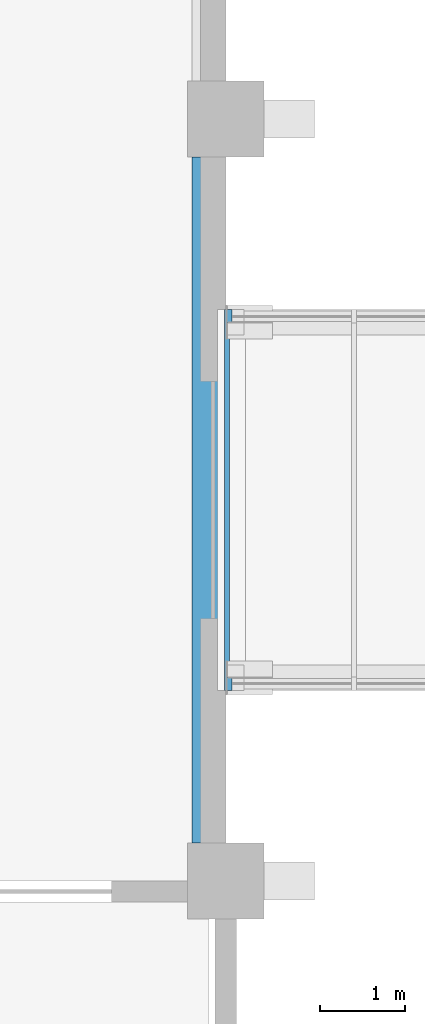
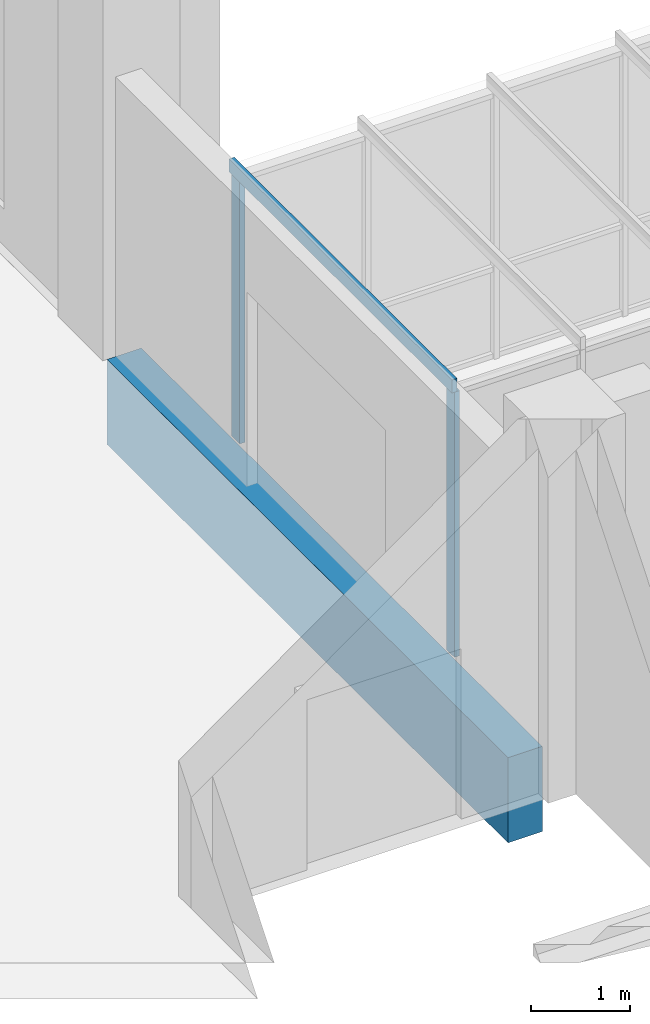
# One storey, part 5 of 88: 3 members, 1 beam, 3 elements without a shape of their own.
"""IFC4 building model written with IfcOpenShell, lengths in metres."""

from ifc_helpers import new_model, si_unit, direction, frame, origin, origin_2d, place, context, subcontext, project, spatial, rectangle, extrude, material, layer, layer_set, material_profile, profile_set, type_object, element, aggregate, save


model = new_model("IFC4")

# Units and contexts
model_context = context("Model", 3, precision=1e-05, world=origin(), true_north=direction((0.0, 1.0)))
body_context = subcontext(model_context, "Body", "Model", "MODEL_VIEW")
ifc_project = project(units=[si_unit("LENGTHUNIT", "METRE"), si_unit("AREAUNIT", "SQUARE_METRE"), si_unit("VOLUMEUNIT", "CUBIC_METRE"), si_unit("PLANEANGLEUNIT", "RADIAN"), si_unit("MASSUNIT", "GRAM", prefix="KILO")], contexts=[model_context])

# Site, building, storey
site_placement = place(None, origin())
site = spatial("IfcSite", under=ifc_project, at=site_placement, CompositionType="ELEMENT")
building_placement = place(site_placement, origin())
building = spatial("IfcBuilding", under=site, at=building_placement, Name="Guidao Yard Department Store", CompositionType="ELEMENT")
storey_placement = place(building_placement, frame((0.0, 0.0, 6.0)))
storey = spatial("IfcBuildingStorey", under=building, at=storey_placement, Name="L01", CompositionType="ELEMENT", Elevation=6.0)

# Beam
ifc_material_1 = material(Name="Concrete C40", Category="concrete")
ifc_material_profile_1 = material_profile(ifc_material_1, rectangle(XDim=0.39990234375, YDim=1.050048828125, at=origin_2d()), Name="Bridge landing beam 400 x 1050 C40")
ifc_profile_set_1 = profile_set([ifc_material_profile_1], Name="Concrete C40")
beam_type = type_object("IfcBeamType", Name="Bridge landing beam 400 x 1050 C40", PredefinedType="BEAM", material=ifc_profile_set_1)
beam_placement = place(storey_placement, frame((62.800048828125, 54.449951171875, -0.52490234375), z_axis=(0.0, 1.0, 0.0), x_axis=(-1.0, 0.0, 0.0)))
element("IfcBeam", 1, at=beam_placement, inside=storey, type_object=beam_type, Name="Beam LB01", PredefinedType="BEAM", context=body_context, shape_type="SweptSolid", body=[
    extrude(rectangle(XDim=0.39990234375, YDim=1.050048828125, at=origin_2d()), origin(), (0.0, 0.0, 1.0), 8.10009765625),
])

# Curtain wall, member
ifc_material_2 = material(Name="Aluminium and glass", Category="aluminium")
ifc_layer = layer(ifc_material_2, 0.159912109375)
ifc_layer_set = layer_set([ifc_layer], Name="Bridge glazing CW5 1500 module")
curtain_wall_type = type_object("IfcCurtainWallType", Name="Bridge glazing CW5 1500 module", PredefinedType="NOTDEFINED", material=ifc_layer_set)
curtain_wall_1_placement = place(storey_placement, origin())
curtain_wall_1 = element("IfcCurtainWall", 2, at=curtain_wall_1_placement, inside=storey, type_object=curtain_wall_type, Name="Bridge glazing BR01 S", PredefinedType="NOTDEFINED")
ifc_material_3 = material(Name="Aluminium 6063-T5", Category="aluminium")
ifc_material_profile_2 = material_profile(ifc_material_3, rectangle(XDim=0.06005859375, YDim=0.159912109375, at=origin_2d()), Name="Mullion M1 60 x 160 aluminium pressure plate")
ifc_profile_set_2 = profile_set([ifc_material_profile_2], Name="Aluminium 6063-T5")
member_type_1 = type_object("IfcMemberType", Name="Mullion M1 60 x 160 aluminium pressure plate", PredefinedType="MULLION", material=ifc_profile_set_2)
member_1_placement = place(storey_placement, frame((63.044921875, 56.330078125, 0.0), z_axis=(0.0, 0.0, 1.0), x_axis=(-1.0, 0.0, 0.0)))
member_1 = element("IfcMember", 3, at=member_1_placement, type_object=member_type_1, Name="CW-S-L01-01 mullion 1", PredefinedType="MULLION", context=body_context, shape_type="SweptSolid", body=[
    extrude(rectangle(XDim=0.06005859375, YDim=0.159912109375, at=origin_2d()), origin(), (0.0, 0.0, 1.0), 3.27001953125),
])
aggregate(curtain_wall_1, [member_1])

curtain_wall_2_placement = place(storey_placement, origin())
curtain_wall_2 = element("IfcCurtainWall", 4, at=curtain_wall_2_placement, inside=storey, type_object=curtain_wall_type, Name="Bridge glazing BR01 N", PredefinedType="NOTDEFINED")
member_2_placement = place(storey_placement, frame((63.044921875, 60.669921875, 0.0), z_axis=(0.0, 0.0, 1.0), x_axis=(1.0, 0.0, 0.0)))
member_2 = element("IfcMember", 5, at=member_2_placement, type_object=member_type_1, Name="CW-N-L01-02 mullion 1", PredefinedType="MULLION", context=body_context, shape_type="SweptSolid", body=[
    extrude(rectangle(XDim=0.06005859375, YDim=0.159912109375, at=origin_2d()), origin(), (0.0, 0.0, 1.0), 3.27001953125),
])
aggregate(curtain_wall_2, [member_2])

curtain_wall_3_placement = place(storey_placement, origin())
curtain_wall_3 = element("IfcCurtainWall", 6, at=curtain_wall_3_placement, inside=storey, type_object=curtain_wall_type, Name="Bridge roof glazing BR01", PredefinedType="NOTDEFINED")
ifc_material_4 = material(Name="Aluminium 6063-T5", Category="aluminium")
ifc_material_profile_3 = material_profile(ifc_material_4, rectangle(XDim=0.06005859375, YDim=0.159912109375, at=origin_2d()), Name="Roof bar RB1 60 x 160 aluminium")
ifc_profile_set_3 = profile_set([ifc_material_profile_3], Name="Aluminium 6063-T5")
member_type_2 = type_object("IfcMemberType", Name="Roof bar RB1 60 x 160 aluminium", PredefinedType="USERDEFINED", material=ifc_profile_set_3)
member_3_placement = place(storey_placement, frame((63.014892578125, 56.25, 3.35009765625), z_axis=(0.0, 1.0, 0.0), x_axis=(-1.0, 0.0, 0.0)))
member_3 = element("IfcMember", 7, at=member_3_placement, type_object=member_type_2, Name="Bridge roof bar BR01", ObjectType="TRANSOM", PredefinedType="USERDEFINED", context=body_context, shape_type="SweptSolid", body=[
    extrude(rectangle(XDim=0.06005859375, YDim=0.159912109375, at=origin_2d()), origin(), (0.0, 0.0, 1.0), 4.5),
])
aggregate(curtain_wall_3, [member_3])

save(model, "model.ifc")
